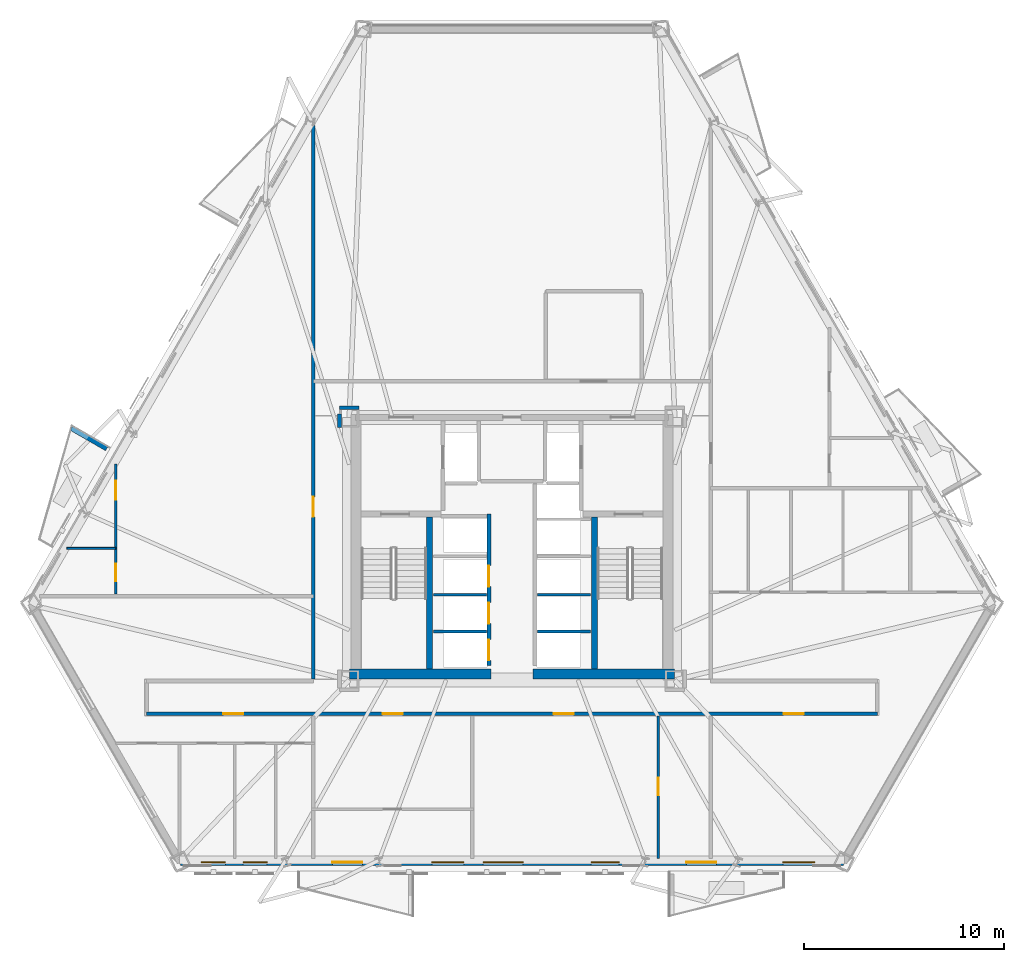
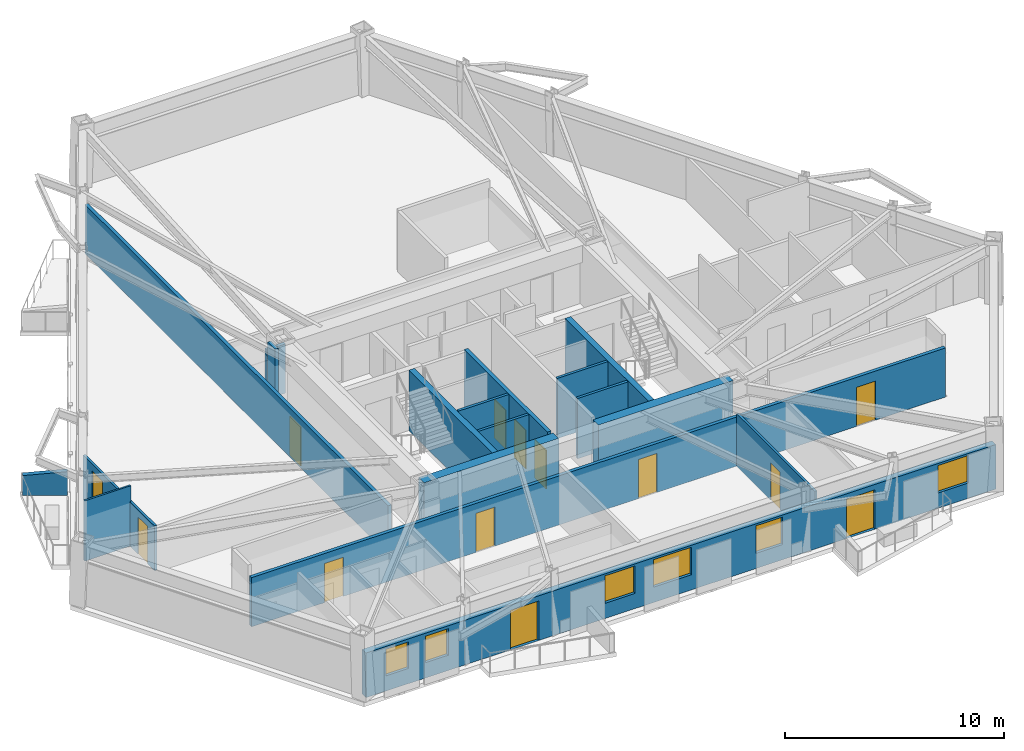
# One storey, part 3 of 12: 18 walls, 13 doors, 6 windows, 19 openings.
"""IFC4 building model written with IfcOpenShell, lengths in metres."""

from ifc_helpers import new_model, si_unit, direction, frame, frame_2d, origin, place, context, subcontext, project, spatial, polyline, rectangle, outline, extrude, material, layer, layer_set, type_object, element, fill, save


model = new_model("IFC4")

# Units and contexts
model_context = context("Model", 3, precision=1e-05, world=origin(), true_north=direction((0.0, 1.0)))
body_context = subcontext(model_context, "Body", "Model", "MODEL_VIEW")
ifc_project = project(units=[si_unit("LENGTHUNIT", "METRE"), si_unit("AREAUNIT", "SQUARE_METRE"), si_unit("VOLUMEUNIT", "CUBIC_METRE"), si_unit("PLANEANGLEUNIT", "RADIAN"), si_unit("MASSUNIT", "GRAM", prefix="KILO")], contexts=[model_context])

# Site, building, storey
site_placement = place(None, origin())
site = spatial("IfcSite", under=ifc_project, at=site_placement, CompositionType="ELEMENT")
building_placement = place(site_placement, origin())
building = spatial("IfcBuilding", under=site, at=building_placement, Name="Oramaril Tower", CompositionType="ELEMENT")
storey_placement = place(building_placement, frame((0.0, 0.0, 45.300048828125)))
storey = spatial("IfcBuildingStorey", under=building, at=storey_placement, Name="L11", CompositionType="ELEMENT", Elevation=45.300048828125)

# Wall, openings, doors, windows
ifc_material_1 = material(Name="Warm Cream Limestone", Category="masonry")
ifc_layer_1 = layer(ifc_material_1, 0.340087890625)
ifc_layer_set_1 = layer_set([ifc_layer_1], Name="WT-EXT34")
wall_type_1 = type_object("IfcWallType", Name="WT-EXT34", PredefinedType="SOLIDWALL", material=ifc_layer_set_1)
wall_1_placement = place(storey_placement, frame((20.892822265625, 1.877685546875, 0.0), z_axis=(0.0, 0.0, 1.0), x_axis=(1.0, 0.0, 0.0)))
wall_1 = element("IfcWall", 1, at=wall_1_placement, inside=storey, type_object=wall_type_1, Name="L11 Tower Limestone Facade Wall 2M", PredefinedType="SOLIDWALL", context=body_context, shape_type="SweptSolid", body=[
    extrude(rectangle(XDim=33.21435546875, YDim=0.340087890625, at=frame_2d((16.607177734375, 0.0))), origin(), (0.0, 0.0, 1.0), 2.493896484375),
])
opening_1_placement = place(wall_1_placement, frame((7.614501953125, 0.0, 0.0)))
opening_1 = element("IfcOpeningElement", 2, at=opening_1_placement, cuts=wall_1, Name="Opening D-L11-BAL-S1", PredefinedType="OPENING", context=body_context, shape_type="SweptSolid", body=[
    extrude(rectangle(XDim=1.5, YDim=2.199951171875, at=frame_2d((0.75, 1.10009765625))), frame((0.0, 0.169921875, 0.0), z_axis=(0.0, -1.0, 0.0), x_axis=(1.0, 0.0, 0.0)), (0.0, 0.0, 1.0), 0.340087890625),
])
opening_2_placement = place(wall_1_placement, frame((25.3447265625, 0.0, 0.0)))
opening_2 = element("IfcOpeningElement", 3, at=opening_2_placement, cuts=wall_1, Name="Opening D-L11-BAL-S2", PredefinedType="OPENING", context=body_context, shape_type="SweptSolid", body=[
    extrude(rectangle(XDim=1.5, YDim=2.199951171875, at=frame_2d((0.75, 1.10009765625))), frame((0.0, 0.169921875, 0.0), z_axis=(0.0, -1.0, 0.0), x_axis=(1.0, 0.0, 0.0)), (0.0, 0.0, 1.0), 0.340087890625),
])
opening_3_placement = place(wall_1_placement, frame((12.595703125, 0.0, 0.85009765625)))
opening_3 = element("IfcOpeningElement", 4, at=opening_3_placement, cuts=wall_1, Name="Opening WN-07", PredefinedType="OPENING", context=body_context, shape_type="SweptSolid", body=[
    extrude(rectangle(XDim=1.60009765625, YDim=1.533935546875, at=frame_2d((0.800048828125, 0.76708984375))), frame((0.0, 0.169921875, 0.0), z_axis=(0.0, -1.0, 0.0), x_axis=(1.0, 0.0, 0.0)), (0.0, 0.0, 1.0), 0.340087890625),
])
opening_4_placement = place(wall_1_placement, frame((15.161376953125, 0.0, 0.85009765625)))
opening_4 = element("IfcOpeningElement", 5, at=opening_4_placement, cuts=wall_1, Name="Opening WN-05", PredefinedType="OPENING", context=body_context, shape_type="SweptSolid", body=[
    extrude(rectangle(XDim=2.0, YDim=1.533935546875, at=frame_2d((1.0, 0.76708984375))), frame((0.0, 0.169921875, 0.0), z_axis=(0.0, -1.0, 0.0), x_axis=(1.0, 0.0, 0.0)), (0.0, 0.0, 1.0), 0.340087890625),
])
opening_5_placement = place(wall_1_placement, frame((20.57080078125, 0.0, 0.85009765625)))
opening_5 = element("IfcOpeningElement", 6, at=opening_5_placement, cuts=wall_1, Name="Opening WN-08", PredefinedType="OPENING", context=body_context, shape_type="SweptSolid", body=[
    extrude(rectangle(XDim=1.39990234375, YDim=1.533935546875, at=frame_2d((0.699951171875, 0.76708984375))), frame((0.0, 0.169921875, 0.0), z_axis=(0.0, -1.0, 0.0), x_axis=(1.0, 0.0, 0.0)), (0.0, 0.0, 1.0), 0.340087890625),
])
opening_6_placement = place(wall_1_placement, frame((1.0546875, 0.0, 0.85009765625)))
opening_6 = element("IfcOpeningElement", 7, at=opening_6_placement, cuts=wall_1, Name="Opening WN-09", PredefinedType="OPENING", context=body_context, shape_type="SweptSolid", body=[
    extrude(rectangle(XDim=1.199951171875, YDim=1.47998046875, at=frame_2d((0.60009765625, 0.739990234375))), frame((0.0, 0.169921875, 0.0), z_axis=(0.0, -1.0, 0.0), x_axis=(1.0, 0.0, 0.0)), (0.0, 0.0, 1.0), 0.340087890625),
])
opening_7_placement = place(wall_1_placement, frame((3.14208984375, 0.0, 0.85009765625)))
opening_7 = element("IfcOpeningElement", 8, at=opening_7_placement, cuts=wall_1, Name="Opening WN-09", PredefinedType="OPENING", context=body_context, shape_type="SweptSolid", body=[
    extrude(rectangle(XDim=1.199951171875, YDim=1.47998046875, at=frame_2d((0.60009765625, 0.739990234375))), frame((0.0, 0.169921875, 0.0), z_axis=(0.0, -1.0, 0.0), x_axis=(1.0, 0.0, 0.0)), (0.0, 0.0, 1.0), 0.340087890625),
])
opening_8_placement = place(wall_1_placement, frame((30.17431640625, 0.0, 0.85009765625)))
opening_8 = element("IfcOpeningElement", 9, at=opening_8_placement, cuts=wall_1, Name="Opening WN-07", PredefinedType="OPENING", context=body_context, shape_type="SweptSolid", body=[
    extrude(rectangle(XDim=1.60009765625, YDim=1.533935546875, at=frame_2d((0.800048828125, 0.76708984375))), frame((0.0, 0.169921875, 0.0), z_axis=(0.0, -1.0, 0.0), x_axis=(1.0, 0.0, 0.0)), (0.0, 0.0, 1.0), 0.340087890625),
])
ifc_material_2 = material(Name="Anodised Aluminium 6063-T6", Category="aluminium")
door_type_1 = type_object("IfcDoorType", Name="DT-BAL", OperationType="NOTDEFINED", PredefinedType="DOOR", material=ifc_material_2)
door_1_placement = place(opening_1_placement, origin())
door_1 = element("IfcDoor", 10, at=door_1_placement, inside=storey, type_object=door_type_1, Name="L11 Balcony Glazed Door L11-BAL-S1", OperationType="SINGLE_SWING_RIGHT", OverallHeight=2.199951171875, OverallWidth=1.5, PredefinedType="DOOR", context=body_context, shape_type="SweptSolid", body=[
    extrude(rectangle(XDim=1.5, YDim=2.199951171875, at=frame_2d((0.75, 1.10009765625))), frame((0.0, 0.02490234375, 0.0), z_axis=(0.0, -1.0, 0.0), x_axis=(1.0, 0.0, 0.0)), (0.0, 0.0, 1.0), 0.050048828125),
])
fill(opening_1, door_1)
door_2_placement = place(opening_2_placement, origin())
door_2 = element("IfcDoor", 11, at=door_2_placement, inside=storey, type_object=door_type_1, Name="L11 Balcony Glazed Door L11-BAL-S2", OperationType="SINGLE_SWING_LEFT", OverallHeight=2.199951171875, OverallWidth=1.5, PredefinedType="DOOR", context=body_context, shape_type="SweptSolid", body=[
    extrude(rectangle(XDim=1.5, YDim=2.199951171875, at=frame_2d((0.75, 1.10009765625))), frame((0.0, 0.02490234375, 0.0), z_axis=(0.0, -1.0, 0.0), x_axis=(1.0, 0.0, 0.0)), (0.0, 0.0, 1.0), 0.050048828125),
])
fill(opening_2, door_2)
ifc_material_3 = material(Name="Coastal Low-E Insulated Glass", Category="glass")
window_type_1 = type_object("IfcWindowType", Name="WNT-05", PartitioningType="SINGLE_PANEL", PredefinedType="WINDOW", material=ifc_material_3)
window_1_placement = place(opening_4_placement, origin())
window_1 = element("IfcWindow", 12, at=window_1_placement, inside=storey, type_object=window_type_1, Name="L11 Chicago Bay Window WN-05", OverallHeight=1.533935546875, OverallWidth=2.0, PartitioningType="SINGLE_PANEL", PredefinedType="WINDOW", context=body_context, shape_type="SweptSolid", body=[
    extrude(rectangle(XDim=2.0, YDim=1.533935546875, at=frame_2d((1.0, 0.76708984375))), frame((0.0, 0.030029296875, 0.0), z_axis=(0.0, -1.0, 0.0), x_axis=(1.0, 0.0, 0.0)), (0.0, 0.0, 1.0), 0.06005859375),
])
fill(opening_4, window_1)
ifc_material_4 = material(Name="Coastal Low-E Insulated Glass", Category="glass")
window_type_2 = type_object("IfcWindowType", Name="WNT-07", PartitioningType="SINGLE_PANEL", PredefinedType="WINDOW", material=ifc_material_4)
window_2_placement = place(opening_3_placement, origin())
window_2 = element("IfcWindow", 13, at=window_2_placement, inside=storey, type_object=window_type_2, Name="L11 Chicago Bay Window WN-07", OverallHeight=1.533935546875, OverallWidth=1.60009765625, PartitioningType="SINGLE_PANEL", PredefinedType="WINDOW", context=body_context, shape_type="SweptSolid", body=[
    extrude(rectangle(XDim=1.60009765625, YDim=1.533935546875, at=frame_2d((0.800048828125, 0.76708984375))), frame((0.0, 0.030029296875, 0.0), z_axis=(0.0, -1.0, 0.0), x_axis=(1.0, 0.0, 0.0)), (0.0, 0.0, 1.0), 0.06005859375),
])
fill(opening_3, window_2)
window_3_placement = place(opening_8_placement, origin())
window_3 = element("IfcWindow", 14, at=window_3_placement, inside=storey, type_object=window_type_2, Name="L11 Chicago Bay Window WN-07", OverallHeight=1.533935546875, OverallWidth=1.60009765625, PartitioningType="SINGLE_PANEL", PredefinedType="WINDOW", context=body_context, shape_type="SweptSolid", body=[
    extrude(rectangle(XDim=1.60009765625, YDim=1.533935546875, at=frame_2d((0.800048828125, 0.76708984375))), frame((0.0, 0.030029296875, 0.0), z_axis=(0.0, -1.0, 0.0), x_axis=(1.0, 0.0, 0.0)), (0.0, 0.0, 1.0), 0.06005859375),
])
fill(opening_8, window_3)
ifc_material_5 = material(Name="Coastal Low-E Insulated Glass", Category="glass")
window_type_3 = type_object("IfcWindowType", Name="WNT-08", PartitioningType="SINGLE_PANEL", PredefinedType="WINDOW", material=ifc_material_5)
window_4_placement = place(opening_5_placement, origin())
window_4 = element("IfcWindow", 15, at=window_4_placement, inside=storey, type_object=window_type_3, Name="L11 Chicago Bay Window WN-08", OverallHeight=1.533935546875, OverallWidth=1.39990234375, PartitioningType="SINGLE_PANEL", PredefinedType="WINDOW", context=body_context, shape_type="SweptSolid", body=[
    extrude(rectangle(XDim=1.39990234375, YDim=1.533935546875, at=frame_2d((0.699951171875, 0.76708984375))), frame((0.0, 0.030029296875, 0.0), z_axis=(0.0, -1.0, 0.0), x_axis=(1.0, 0.0, 0.0)), (0.0, 0.0, 1.0), 0.06005859375),
])
fill(opening_5, window_4)
ifc_material_6 = material(Name="Coastal Low-E Insulated Glass", Category="glass")
window_type_4 = type_object("IfcWindowType", Name="WNT-09", PartitioningType="SINGLE_PANEL", PredefinedType="WINDOW", material=ifc_material_6)
window_5_placement = place(opening_6_placement, origin())
window_5 = element("IfcWindow", 16, at=window_5_placement, inside=storey, type_object=window_type_4, Name="L11 Chicago Bay Window WN-09", OverallHeight=1.47998046875, OverallWidth=1.199951171875, PartitioningType="SINGLE_PANEL", PredefinedType="WINDOW", context=body_context, shape_type="SweptSolid", body=[
    extrude(rectangle(XDim=1.199951171875, YDim=1.47998046875, at=frame_2d((0.60009765625, 0.739990234375))), frame((0.0, 0.030029296875, 0.0), z_axis=(0.0, -1.0, 0.0), x_axis=(1.0, 0.0, 0.0)), (0.0, 0.0, 1.0), 0.06005859375),
])
fill(opening_6, window_5)
window_6_placement = place(opening_7_placement, origin())
window_6 = element("IfcWindow", 17, at=window_6_placement, inside=storey, type_object=window_type_4, Name="L11 Chicago Bay Window WN-09", OverallHeight=1.47998046875, OverallWidth=1.199951171875, PartitioningType="SINGLE_PANEL", PredefinedType="WINDOW", context=body_context, shape_type="SweptSolid", body=[
    extrude(rectangle(XDim=1.199951171875, YDim=1.47998046875, at=frame_2d((0.60009765625, 0.739990234375))), frame((0.0, 0.030029296875, 0.0), z_axis=(0.0, -1.0, 0.0), x_axis=(1.0, 0.0, 0.0)), (0.0, 0.0, 1.0), 0.06005859375),
])
fill(opening_7, window_6)

# Walls
ifc_material_7 = material(Name="Concrete C40/50", Category="concrete")
ifc_layer_2 = layer(ifc_material_7, 0.22998046875)
ifc_layer_set_2 = layer_set([ifc_layer_2], Name="WT-PRP23")
wall_type_2 = type_object("IfcWallType", Name="WT-PRP23", PredefinedType="PARAPET", material=ifc_layer_set_2)
wall_2_placement = place(storey_placement, frame((17.199951171875, 22.57958984375, 0.0), z_axis=(0.0, 0.0, 1.0), x_axis=(-0.866042246008, 0.499970827278, 0.0)))
element("IfcWall", 18, at=wall_2_placement, inside=storey, type_object=wall_type_2, Name="L11 Trapezoidal Balcony Frame Cheek L11-BAL-NW2-L", PredefinedType="PARAPET", context=body_context, shape_type="SweptSolid", body=[
    extrude(outline(polyline([(0.0, 0.0), (2.0419921875, 0.0), (2.0419921875, 1.099853515625), (0.0, 1.320068359375), (0.0, 0.0)])), frame((0.0, 0.114990234375, 0.0), z_axis=(0.0, -1.0, 0.0), x_axis=(1.0, 0.0, 0.0)), (0.0, 0.0, 1.0), 0.22998046875),
])
ifc_material_8 = material(Name="Acoustic Gypsum Board Partition")
ifc_layer_3 = layer(ifc_material_8, 0.10009765625)
ifc_layer_set_3 = layer_set([ifc_layer_3], Name="WT-PT10")
wall_type_3 = type_object("IfcWallType", Name="WT-PT10", PredefinedType="PARTITIONING", material=ifc_layer_set_3)
wall_3_placement = place(storey_placement, frame((15.210693359375, 17.590087890625, 0.0), z_axis=(0.0, 0.0, 1.0), x_axis=(1.0, 0.0, 0.0)))
element("IfcWall", 19, at=wall_3_placement, inside=storey, type_object=wall_type_3, Name="L11 Interior Partition PT-10", PredefinedType="PARTITIONING", context=body_context, shape_type="SweptSolid", body=[
    extrude(rectangle(XDim=2.44140625, YDim=0.10009765625, at=frame_2d((1.220703125, 0.0))), origin(), (0.0, 0.0, 1.0), 3.35986328125),
])

# Wall, openings, doors
ifc_material_9 = material(Name="Acoustic Gypsum Board Partition")
ifc_layer_4 = layer(ifc_material_9, 0.1201171875)
ifc_layer_set_4 = layer_set([ifc_layer_4], Name="WT-PT12")
wall_type_4 = type_object("IfcWallType", Name="WT-PT12", PredefinedType="PARTITIONING", material=ifc_layer_set_4)
wall_4_placement = place(storey_placement, frame((17.64990234375, 15.2939453125, 0.0), z_axis=(0.0, 0.0, 1.0), x_axis=(0.0, 1.0, 0.0)))
wall_4 = element("IfcWall", 20, at=wall_4_placement, inside=storey, type_object=wall_type_4, Name="L11 Interior Partition PT-12", PredefinedType="PARTITIONING", context=body_context, shape_type="SweptSolid", body=[
    extrude(rectangle(XDim=6.521240234375, YDim=0.1201171875, at=frame_2d((3.2607421875, 0.0))), origin(), (0.0, 0.0, 1.0), 2.493896484375),
])
opening_9_placement = place(wall_4_placement, frame((0.64453125, 0.0, 0.0)))
opening_9 = element("IfcOpeningElement", 21, at=opening_9_placement, cuts=wall_4, Name="Opening D-L11-16", PredefinedType="OPENING", context=body_context, shape_type="SweptSolid", body=[
    extrude(rectangle(XDim=0.8798828125, YDim=2.080078125, at=frame_2d((0.43994140625, 1.0400390625))), frame((0.0, 0.06005859375, 0.0), z_axis=(0.0, -1.0, 0.0), x_axis=(1.0, 0.0, 0.0)), (0.0, 0.0, 1.0), 0.1201171875),
])
opening_10_placement = place(wall_4_placement, frame((4.740478515625, 0.0, 0.0)))
opening_10 = element("IfcOpeningElement", 22, at=opening_10_placement, cuts=wall_4, Name="Opening D-L11-17", PredefinedType="OPENING", context=body_context, shape_type="SweptSolid", body=[
    extrude(rectangle(XDim=0.949951171875, YDim=2.10009765625, at=frame_2d((0.47509765625, 1.050048828125))), frame((0.0, 0.06005859375, 0.0), z_axis=(0.0, -1.0, 0.0), x_axis=(1.0, 0.0, 0.0)), (0.0, 0.0, 1.0), 0.1201171875),
])
ifc_material_10 = material(Name="FSC Brazilian Freijo Hardwood", Category="wood")
door_type_2 = type_object("IfcDoorType", Name="DT-BATH", OperationType="NOTDEFINED", PredefinedType="DOOR", material=ifc_material_10)
door_3_placement = place(opening_9_placement, origin())
door_3 = element("IfcDoor", 23, at=door_3_placement, inside=storey, type_object=door_type_2, Name="L11 Flat L11-U4 Bathroom Door D-L11-16", OperationType="SINGLE_SWING_LEFT", OverallHeight=2.080078125, OverallWidth=0.8798828125, PredefinedType="DOOR", context=body_context, shape_type="SweptSolid", body=[
    extrude(rectangle(XDim=0.8798828125, YDim=2.080078125, at=frame_2d((0.43994140625, 1.0400390625))), frame((0.0, 0.02490234375, 0.0), z_axis=(0.0, -1.0, 0.0), x_axis=(1.0, 0.0, 0.0)), (0.0, 0.0, 1.0), 0.050048828125),
])
fill(opening_9, door_3)
ifc_material_11 = material(Name="FSC Brazilian Freijo Hardwood", Category="wood")
door_type_3 = type_object("IfcDoorType", Name="DT-STDY", OperationType="NOTDEFINED", PredefinedType="DOOR", material=ifc_material_11)
door_4_placement = place(opening_10_placement, origin())
door_4 = element("IfcDoor", 24, at=door_4_placement, inside=storey, type_object=door_type_3, Name="L11 Flat L11-U4 Kitchen Door D-L11-17", OperationType="SINGLE_SWING_RIGHT", OverallHeight=2.10009765625, OverallWidth=0.949951171875, PredefinedType="DOOR", context=body_context, shape_type="SweptSolid", body=[
    extrude(rectangle(XDim=0.949951171875, YDim=2.10009765625, at=frame_2d((0.47509765625, 1.050048828125))), frame((0.0, 0.02490234375, 0.0), z_axis=(0.0, -1.0, 0.0), x_axis=(1.0, 0.0, 0.0)), (0.0, 0.0, 1.0), 0.050048828125),
])
fill(opening_10, door_4)

# Wall, opening, door
wall_5_placement = place(storey_placement, frame((44.820068359375, 2.0517578125, 0.0), z_axis=(0.0, 0.0, 1.0), x_axis=(0.0, 1.0, 0.0)))
wall_5 = element("IfcWall", 25, at=wall_5_placement, inside=storey, type_object=wall_type_4, Name="L11 Interior Partition PT-12", PredefinedType="PARTITIONING", context=body_context, shape_type="SweptSolid", body=[
    extrude(rectangle(XDim=7.154296875, YDim=0.1201171875, at=frame_2d((3.5771484375, 0.0))), origin(), (0.0, 0.0, 1.0), 2.946044921875),
])
opening_11_placement = place(wall_5_placement, frame((3.172119140625, 0.0, 0.0)))
opening_11 = element("IfcOpeningElement", 26, at=opening_11_placement, cuts=wall_5, Name="Opening D-L11-19", PredefinedType="OPENING", context=body_context, shape_type="SweptSolid", body=[
    extrude(rectangle(XDim=0.8798828125, YDim=2.080078125, at=frame_2d((0.43994140625, 1.0400390625))), frame((0.0, 0.06005859375, 0.0), z_axis=(0.0, -1.0, 0.0), x_axis=(1.0, 0.0, 0.0)), (0.0, 0.0, 1.0), 0.1201171875),
])
door_5_placement = place(opening_11_placement, origin())
door_5 = element("IfcDoor", 27, at=door_5_placement, inside=storey, type_object=door_type_2, Name="L11 Flat L11-U2 Bathroom Door D-L11-19", OperationType="SINGLE_SWING_RIGHT", OverallHeight=2.080078125, OverallWidth=0.8798828125, PredefinedType="DOOR", context=body_context, shape_type="SweptSolid", body=[
    extrude(rectangle(XDim=0.8798828125, YDim=2.080078125, at=frame_2d((0.43994140625, 1.0400390625))), frame((0.0, 0.02490234375, 0.0), z_axis=(0.0, -1.0, 0.0), x_axis=(1.0, 0.0, 0.0)), (0.0, 0.0, 1.0), 0.050048828125),
])
fill(opening_11, door_5)

# Walls
ifc_material_12 = material(Name="Acoustic Gypsum Board Partition")
ifc_layer_5 = layer(ifc_material_12, 0.139892578125)
ifc_layer_set_5 = layer_set([ifc_layer_5], Name="WT-PT14")
wall_type_5 = type_object("IfcWallType", Name="WT-PT14", PredefinedType="PARTITIONING", material=ifc_layer_set_5)
for number, where, z_axis, x_axis, name in (
    (28, (33.56005859375, 13.419921875, 0.0), (0.0, 0.0, 1.0), (1.0, 0.0, 0.0), "L11 West Lift Divider"),
    (29, (33.56005859375, 15.27001953125, 0.0), (0.0, 0.0, 1.0), (1.0, 0.0, 0.0), "L11 West Lift Divider"),
    (30, (38.780029296875, 13.419921875, 0.0), (0.0, 0.0, 1.0), (1.0, 0.0, 0.0), "L11 East Lift Divider"),
    (31, (38.780029296875, 15.27001953125, 0.0), (0.0, 0.0, 1.0), (1.0, 0.0, 0.0), "L11 East Lift Divider"),
):
    element("IfcWall", number, at=place(storey_placement, frame(where, z_axis=z_axis, x_axis=x_axis)), inside=storey, type_object=wall_type_5, Name=name, PredefinedType="PARTITIONING", context=body_context, shape_type="SweptSolid", body=[
        extrude(rectangle(XDim=2.659912109375, YDim=0.139892578125, at=frame_2d((1.330078125, 0.0))), origin(), (0.0, 0.0, 1.0), 3.35986328125),
    ])

# Wall, openings, doors
ifc_material_13 = material(Name="Autoclaved Cellular Concrete Block", Category="concrete")
ifc_layer_6 = layer(ifc_material_13, 0.179931640625)
ifc_layer_set_6 = layer_set([ifc_layer_6], Name="WT-PT18")
wall_type_6 = type_object("IfcWallType", Name="WT-PT18", PredefinedType="PARTITIONING", material=ifc_layer_set_6)
wall_6_placement = place(storey_placement, frame((19.199951171875, 9.300048828125, 0.0), z_axis=(0.0, 0.0, 1.0), x_axis=(1.0, 0.0, 0.0)))
wall_6 = element("IfcWall", 32, at=wall_6_placement, inside=storey, type_object=wall_type_6, Name="L11 Interior Partition PT-18", PredefinedType="PARTITIONING", context=body_context, shape_type="SweptSolid", body=[
    extrude(rectangle(XDim=36.60009765625, YDim=0.179931640625, at=frame_2d((18.300048828125, 0.0))), origin(), (0.0, 0.0, 1.0), 2.738037109375),
])
opening_12_placement = place(wall_6_placement, frame((3.84423828125, 0.0, 0.0)))
opening_12 = element("IfcOpeningElement", 33, at=opening_12_placement, cuts=wall_6, Name="Opening D-L11-06", PredefinedType="OPENING", context=body_context, shape_type="SweptSolid", body=[
    extrude(rectangle(XDim=1.0, YDim=2.179931640625, at=frame_2d((0.5, 1.08984375))), frame((0.0, 0.08984375, 0.0), z_axis=(0.0, -1.0, 0.0), x_axis=(1.0, 0.0, 0.0)), (0.0, 0.0, 1.0), 0.179931640625),
])
opening_13_placement = place(wall_6_placement, frame((11.824951171875, 0.0, 0.0)))
opening_13 = element("IfcOpeningElement", 34, at=opening_13_placement, cuts=wall_6, Name="Opening D-L11-07", PredefinedType="OPENING", context=body_context, shape_type="SweptSolid", body=[
    extrude(rectangle(XDim=1.0, YDim=2.179931640625, at=frame_2d((0.5, 1.08984375))), frame((0.0, 0.08984375, 0.0), z_axis=(0.0, -1.0, 0.0), x_axis=(1.0, 0.0, 0.0)), (0.0, 0.0, 1.0), 0.179931640625),
])
opening_14_placement = place(wall_6_placement, frame((20.38671875, 0.0, 0.0)))
opening_14 = element("IfcOpeningElement", 35, at=opening_14_placement, cuts=wall_6, Name="Opening D-L11-08", PredefinedType="OPENING", context=body_context, shape_type="SweptSolid", body=[
    extrude(rectangle(XDim=1.0, YDim=2.179931640625, at=frame_2d((0.5, 1.08984375))), frame((0.0, 0.08984375, 0.0), z_axis=(0.0, -1.0, 0.0), x_axis=(1.0, 0.0, 0.0)), (0.0, 0.0, 1.0), 0.179931640625),
])
opening_15_placement = place(wall_6_placement, frame((31.904052734375, 0.0, 0.0)))
opening_15 = element("IfcOpeningElement", 36, at=opening_15_placement, cuts=wall_6, Name="Opening D-L11-09", PredefinedType="OPENING", context=body_context, shape_type="SweptSolid", body=[
    extrude(rectangle(XDim=1.0, YDim=2.179931640625, at=frame_2d((0.5, 1.08984375))), frame((0.0, 0.08984375, 0.0), z_axis=(0.0, -1.0, 0.0), x_axis=(1.0, 0.0, 0.0)), (0.0, 0.0, 1.0), 0.179931640625),
])
ifc_material_14 = material(Name="FSC Brazilian Freijo Hardwood", Category="wood")
door_type_4 = type_object("IfcDoorType", Name="DT-APT", OperationType="NOTDEFINED", PredefinedType="DOOR", material=ifc_material_14)
door_6_placement = place(opening_12_placement, origin())
door_6 = element("IfcDoor", 37, at=door_6_placement, inside=storey, type_object=door_type_4, Name="L11 Flat L11-U3 Penthouse 2-Bedroom Living and Dining Room Door D-L11-06", OperationType="SINGLE_SWING_LEFT", OverallHeight=2.179931640625, OverallWidth=1.0, PredefinedType="DOOR", context=body_context, shape_type="SweptSolid", body=[
    extrude(rectangle(XDim=1.0, YDim=2.179931640625, at=frame_2d((0.5, 1.08984375))), frame((0.0, 0.02490234375, 0.0), z_axis=(0.0, -1.0, 0.0), x_axis=(1.0, 0.0, 0.0)), (0.0, 0.0, 1.0), 0.050048828125),
])
fill(opening_12, door_6)
door_7_placement = place(opening_13_placement, origin())
door_7 = element("IfcDoor", 38, at=door_7_placement, inside=storey, type_object=door_type_4, Name="L11 Flat L11-U1 Kitchen and Studio Apartment Door D-L11-07", OperationType="SINGLE_SWING_RIGHT", OverallHeight=2.179931640625, OverallWidth=1.0, PredefinedType="DOOR", context=body_context, shape_type="SweptSolid", body=[
    extrude(rectangle(XDim=1.0, YDim=2.179931640625, at=frame_2d((0.5, 1.08984375))), frame((0.0, 0.02490234375, 0.0), z_axis=(0.0, -1.0, 0.0), x_axis=(1.0, 0.0, 0.0)), (0.0, 0.0, 1.0), 0.050048828125),
])
fill(opening_13, door_7)
door_8_placement = place(opening_14_placement, origin())
door_8 = element("IfcDoor", 39, at=door_8_placement, inside=storey, type_object=door_type_4, Name="L11 Flat L11-U2 Kitchen and Studio Apartment Door D-L11-08", OperationType="SINGLE_SWING_LEFT", OverallHeight=2.179931640625, OverallWidth=1.0, PredefinedType="DOOR", context=body_context, shape_type="SweptSolid", body=[
    extrude(rectangle(XDim=1.0, YDim=2.179931640625, at=frame_2d((0.5, 1.08984375))), frame((0.0, 0.02490234375, 0.0), z_axis=(0.0, -1.0, 0.0), x_axis=(1.0, 0.0, 0.0)), (0.0, 0.0, 1.0), 0.050048828125),
])
fill(opening_14, door_8)
door_9_placement = place(opening_15_placement, origin())
door_9 = element("IfcDoor", 40, at=door_9_placement, inside=storey, type_object=door_type_4, Name="L11 Flat L11-U5 Penthouse 2-Bedroom Living and Dining Room Door D-L11-09", OperationType="SINGLE_SWING_RIGHT", OverallHeight=2.179931640625, OverallWidth=1.0, PredefinedType="DOOR", context=body_context, shape_type="SweptSolid", body=[
    extrude(rectangle(XDim=1.0, YDim=2.179931640625, at=frame_2d((0.5, 1.08984375))), frame((0.0, 0.02490234375, 0.0), z_axis=(0.0, -1.0, 0.0), x_axis=(1.0, 0.0, 0.0)), (0.0, 0.0, 1.0), 0.050048828125),
])
fill(opening_15, door_9)

# Wall
wall_7_placement = place(storey_placement, frame((28.85498046875, 24.639892578125, 0.0), z_axis=(0.0, 0.0, 1.0), x_axis=(1.0, 0.0, 0.0)))
element("IfcWall", 41, at=wall_7_placement, inside=storey, type_object=wall_type_6, Name="L11 Interior Partition PT-18", PredefinedType="PARTITIONING", context=body_context, shape_type="SweptSolid", body=[
    extrude(rectangle(XDim=0.989990234375, YDim=0.179931640625, at=frame_2d((0.4951171875, 0.0))), origin(), (0.0, 0.0, 1.0), 2.738037109375),
])

# Wall, opening, door
wall_8_placement = place(storey_placement, frame((27.550048828125, 11.0439453125, 0.0), z_axis=(0.0, 0.0, 1.0), x_axis=(0.0, 1.0, 0.0)))
wall_8 = element("IfcWall", 42, at=wall_8_placement, inside=storey, type_object=wall_type_6, Name="L11 Interior Partition PT-18", PredefinedType="PARTITIONING", context=body_context, shape_type="SweptSolid", body=[
    extrude(rectangle(XDim=27.71533203125, YDim=0.179931640625, at=frame_2d((13.857666015625, 0.0))), origin(), (0.0, 0.0, 1.0), 2.738037109375),
])
opening_16_placement = place(wall_8_placement, frame((8.12060546875, 0.0, 0.0)))
opening_16 = element("IfcOpeningElement", 43, at=opening_16_placement, cuts=wall_8, Name="Opening D-L11-18", PredefinedType="OPENING", context=body_context, shape_type="SweptSolid", body=[
    extrude(rectangle(XDim=1.0, YDim=2.179931640625, at=frame_2d((0.5, 1.08984375))), frame((0.0, 0.08984375, 0.0), z_axis=(0.0, -1.0, 0.0), x_axis=(1.0, 0.0, 0.0)), (0.0, 0.0, 1.0), 0.179931640625),
])
door_10_placement = place(opening_16_placement, origin())
door_10 = element("IfcDoor", 44, at=door_10_placement, inside=storey, type_object=door_type_4, Name="L11 Flat L11-U4 Studio Apartment Door D-L11-18", OperationType="SINGLE_SWING_LEFT", OverallHeight=2.179931640625, OverallWidth=1.0, PredefinedType="DOOR", context=body_context, shape_type="SweptSolid", body=[
    extrude(rectangle(XDim=1.0, YDim=2.179931640625, at=frame_2d((0.5, 1.08984375))), frame((0.0, 0.02490234375, 0.0), z_axis=(0.0, -1.0, 0.0), x_axis=(1.0, 0.0, 0.0)), (0.0, 0.0, 1.0), 0.050048828125),
])
fill(opening_16, door_10)

# Walls
wall_9_placement = place(storey_placement, frame((28.860107421875, 23.655029296875, 0.0), z_axis=(0.0, 0.0, 1.0), x_axis=(0.0, 1.0, 0.0)))
element("IfcWall", 45, at=wall_9_placement, inside=storey, type_object=wall_type_6, Name="L11 Interior Partition PT-18", PredefinedType="PARTITIONING", context=body_context, shape_type="SweptSolid", body=[
    extrude(rectangle(XDim=0.6650390625, YDim=0.179931640625, at=frame_2d((0.33251953125, 0.0))), origin(), (0.0, 0.0, 1.0), 3.35986328125),
])
ifc_material_15 = material(Name="Concrete C50/60", Category="concrete")
ifc_layer_7 = layer(ifc_material_15, 0.300048828125)
ifc_layer_set_7 = layer_set([ifc_layer_7], Name="WT-SH30")
wall_type_7 = type_object("IfcWallType", Name="WT-SH30", PredefinedType="SHEAR", material=ifc_layer_set_7)
for number, where, z_axis, x_axis, name in (
    (46, (33.3798828125, 11.5400390625, 0.0), (0.0, 0.0, 1.0), (0.0, 1.0, 0.0), "L11 Core Shear Wall CW-ST1E"),
    (47, (41.6201171875, 11.5400390625, 0.0), (0.0, 0.0, 1.0), (0.0, 1.0, 0.0), "L11 Core Shear Wall CW-ST2W"),
):
    element("IfcWall", number, at=place(storey_placement, frame(where, z_axis=z_axis, x_axis=x_axis)), inside=storey, type_object=wall_type_7, Name=name, PredefinedType="SHEAR", context=body_context, shape_type="SweptSolid", body=[
        extrude(rectangle(XDim=7.619873046875, YDim=0.300048828125, at=frame_2d((3.81005859375, 0.0))), origin(), (0.0, 0.0, 1.0), 3.35986328125),
    ])
ifc_material_16 = material(Name="Concrete C50/60", Category="concrete")
ifc_layer_8 = layer(ifc_material_16, 0.5)
ifc_layer_set_8 = layer_set([ifc_layer_8], Name="WT-SH50")
wall_type_8 = type_object("IfcWallType", Name="WT-SH50", PredefinedType="SHEAR", material=ifc_layer_set_8)
for number, where, z_axis, x_axis, name in (
    (48, (29.35009765625, 11.2900390625, 0.0), (0.0, 0.0, 1.0), (1.0, 0.0, 0.0), "L11 Core Shear Wall CW-SW"),
    (49, (38.550048828125, 11.2900390625, 0.0), (0.0, 0.0, 1.0), (1.0, 0.0, 0.0), "L11 Core Shear Wall CW-SE"),
):
    element("IfcWall", number, at=place(storey_placement, frame(where, z_axis=z_axis, x_axis=x_axis)), inside=storey, type_object=wall_type_8, Name=name, PredefinedType="SHEAR", context=body_context, shape_type="SweptSolid", body=[
        extrude(rectangle(XDim=7.099853515625, YDim=0.5, at=frame_2d((3.5498046875, 0.0))), origin(), (0.0, 0.0, 1.0), 3.35986328125),
    ])

# Wall, openings, doors
ifc_material_17 = material(Name="Autoclaved Cellular Concrete Block", Category="concrete")
ifc_layer_9 = layer(ifc_material_17, 0.199951171875)
ifc_layer_set_9 = layer_set([ifc_layer_9], Name="WT-SHF20")
wall_type_9 = type_object("IfcWallType", Name="WT-SHF20", PredefinedType="PARTITIONING", material=ifc_layer_set_9)
wall_10_placement = place(storey_placement, frame((36.340087890625, 11.719970703125, 0.0), z_axis=(0.0, 0.0, 1.0), x_axis=(0.0, 1.0, 0.0)))
wall_10 = element("IfcWall", 50, at=wall_10_placement, inside=storey, type_object=wall_type_9, Name="L11 West Lift Bank Front Wall", PredefinedType="PARTITIONING", context=body_context, shape_type="SweptSolid", body=[
    extrude(rectangle(XDim=7.60009765625, YDim=0.199951171875, at=frame_2d((3.800048828125, 0.0))), origin(), (0.0, 0.0, 1.0), 3.35986328125),
])
opening_17_placement = place(wall_10_placement, frame((0.2548828125, 0.0, 0.0)))
opening_17 = element("IfcOpeningElement", 51, at=opening_17_placement, cuts=wall_10, Name="Opening LD-L11-LP-L1", PredefinedType="OPENING", context=body_context, shape_type="SweptSolid", body=[
    extrude(rectangle(XDim=1.050048828125, YDim=2.14990234375, at=frame_2d((0.52490234375, 1.074951171875))), frame((0.0, 0.10009765625, 0.0), z_axis=(0.0, -1.0, 0.0), x_axis=(1.0, 0.0, 0.0)), (0.0, 0.0, 1.0), 0.199951171875),
])
opening_18_placement = place(wall_10_placement, frame((2.10498046875, 0.0, 0.0)))
opening_18 = element("IfcOpeningElement", 52, at=opening_18_placement, cuts=wall_10, Name="Opening LD-L11-LP-L2", PredefinedType="OPENING", context=body_context, shape_type="SweptSolid", body=[
    extrude(rectangle(XDim=1.050048828125, YDim=2.14990234375, at=frame_2d((0.52490234375, 1.074951171875))), frame((0.0, 0.10009765625, 0.0), z_axis=(0.0, -1.0, 0.0), x_axis=(1.0, 0.0, 0.0)), (0.0, 0.0, 1.0), 0.199951171875),
])
opening_19_placement = place(wall_10_placement, frame((3.955078125, 0.0, 0.0)))
opening_19 = element("IfcOpeningElement", 53, at=opening_19_placement, cuts=wall_10, Name="Opening LD-L11-LP-L3", PredefinedType="OPENING", context=body_context, shape_type="SweptSolid", body=[
    extrude(rectangle(XDim=1.050048828125, YDim=2.14990234375, at=frame_2d((0.52490234375, 1.074951171875))), frame((0.0, 0.10009765625, 0.0), z_axis=(0.0, -1.0, 0.0), x_axis=(1.0, 0.0, 0.0)), (0.0, 0.0, 1.0), 0.199951171875),
])
ifc_material_18 = material(Name="Stainless Steel 316L", Category="steel")
door_type_5 = type_object("IfcDoorType", Name="DT-LD2", OperationType="NOTDEFINED", PredefinedType="DOOR", material=ifc_material_18)
door_11_placement = place(opening_17_placement, origin())
door_11 = element("IfcDoor", 54, at=door_11_placement, inside=storey, type_object=door_type_5, Name="L11 Lift LP-L1 Sliding Landing Door", OperationType="SLIDING_TO_LEFT", OverallHeight=2.14990234375, OverallWidth=1.050048828125, PredefinedType="DOOR", context=body_context, shape_type="SweptSolid", body=[
    extrude(rectangle(XDim=1.050048828125, YDim=2.14990234375, at=frame_2d((0.52490234375, 1.074951171875))), frame((0.0, 0.02490234375, 0.0), z_axis=(0.0, -1.0, 0.0), x_axis=(1.0, 0.0, 0.0)), (0.0, 0.0, 1.0), 0.050048828125),
])
fill(opening_17, door_11)
door_12_placement = place(opening_18_placement, origin())
door_12 = element("IfcDoor", 55, at=door_12_placement, inside=storey, type_object=door_type_5, Name="L11 Lift LP-L2 Sliding Landing Door", OperationType="SLIDING_TO_RIGHT", OverallHeight=2.14990234375, OverallWidth=1.050048828125, PredefinedType="DOOR", context=body_context, shape_type="SweptSolid", body=[
    extrude(rectangle(XDim=1.050048828125, YDim=2.14990234375, at=frame_2d((0.52490234375, 1.074951171875))), frame((0.0, 0.02490234375, 0.0), z_axis=(0.0, -1.0, 0.0), x_axis=(1.0, 0.0, 0.0)), (0.0, 0.0, 1.0), 0.050048828125),
])
fill(opening_18, door_12)
door_13_placement = place(opening_19_placement, origin())
door_13 = element("IfcDoor", 56, at=door_13_placement, inside=storey, type_object=door_type_5, Name="L11 Lift LP-L3 Sliding Landing Door", OperationType="SLIDING_TO_LEFT", OverallHeight=2.14990234375, OverallWidth=1.050048828125, PredefinedType="DOOR", context=body_context, shape_type="SweptSolid", body=[
    extrude(rectangle(XDim=1.050048828125, YDim=2.14990234375, at=frame_2d((0.52490234375, 1.074951171875))), frame((0.0, 0.02490234375, 0.0), z_axis=(0.0, -1.0, 0.0), x_axis=(1.0, 0.0, 0.0)), (0.0, 0.0, 1.0), 0.050048828125),
])
fill(opening_19, door_13)

save(model, "model.ifc")
